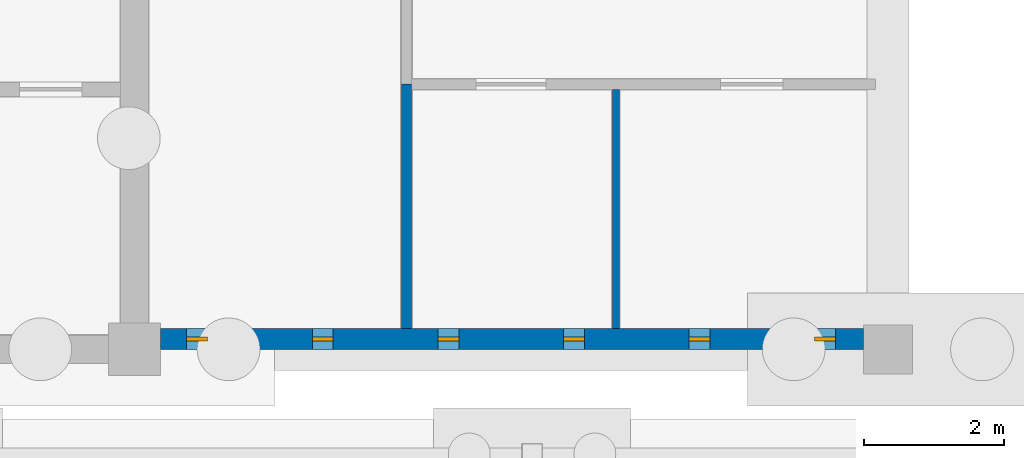
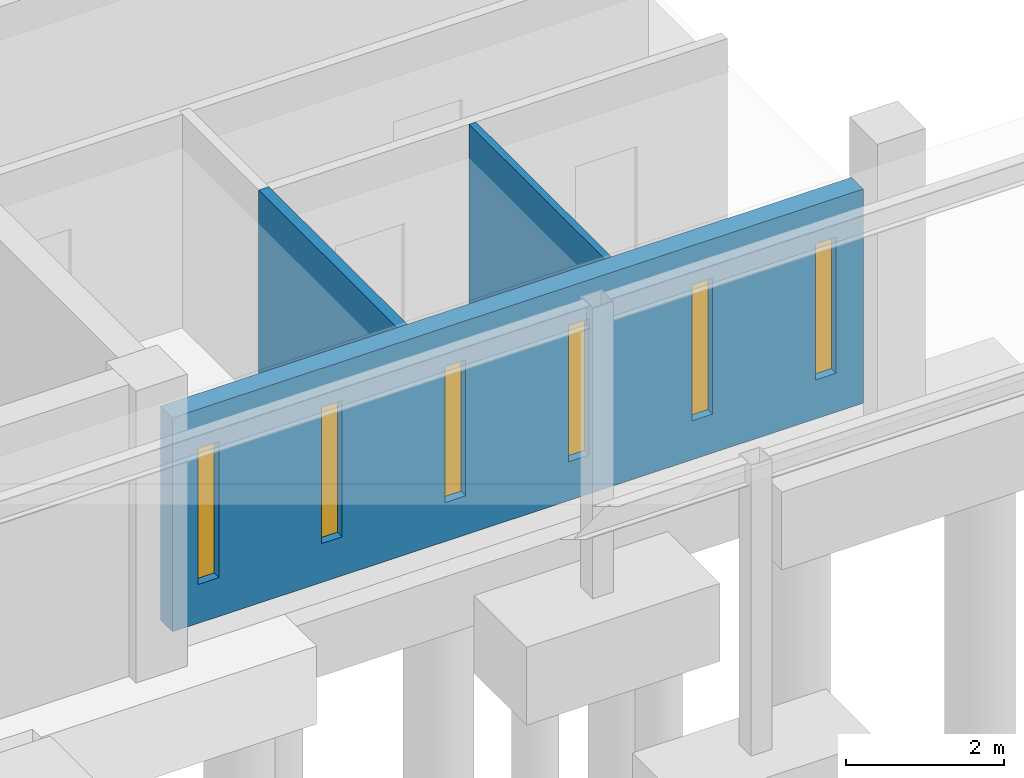
# One storey, part 69 of 106: 6 windows, 3 walls, 6 openings.
"""IFC4 building model written with IfcOpenShell, lengths in metres."""

from ifc_helpers import new_model, si_unit, direction, frame, frame_2d, origin, place, context, subcontext, project, spatial, rectangle, extrude, material, layer, layer_set, type_object, element, fill, save


model = new_model("IFC4")

# Units and contexts
model_context = context("Model", 3, precision=1e-05, world=origin(), true_north=direction((0.0, 1.0)))
body_context = subcontext(model_context, "Body", "Model", "MODEL_VIEW")
ifc_project = project(units=[si_unit("LENGTHUNIT", "METRE"), si_unit("AREAUNIT", "SQUARE_METRE"), si_unit("VOLUMEUNIT", "CUBIC_METRE"), si_unit("PLANEANGLEUNIT", "RADIAN"), si_unit("MASSUNIT", "GRAM", prefix="KILO")], contexts=[model_context])

# Site, building, storey
site_placement = place(None, origin())
site = spatial("IfcSite", under=ifc_project, at=site_placement, CompositionType="ELEMENT")
building_placement = place(site_placement, origin())
building = spatial("IfcBuilding", under=site, at=building_placement, Name="Merrow Basin Faculty of Sciences", CompositionType="ELEMENT")
storey_placement = place(building_placement, origin())
storey = spatial("IfcBuildingStorey", under=building, at=storey_placement, Name="L00", CompositionType="ELEMENT", Elevation=0.0)

# Wall, openings, windows
ifc_material_1 = material(Name="Precast concrete C40/50", Category="concrete")
ifc_layer_1 = layer(ifc_material_1, 0.300048828125)
ifc_layer_set_1 = layer_set([ifc_layer_1], Name="End wall 300 Precast concrete C40/50")
wall_type_1 = type_object("IfcWallType", Name="End wall 300 Precast concrete C40/50", PredefinedType="STANDARD", material=ifc_layer_set_1)
wall_1_placement = place(storey_placement, frame((21.25, 61.14990234375, 0.0), z_axis=(0.0, 0.0, 1.0), x_axis=(-1.0, 0.0, 0.0)))
wall_1 = element("IfcWall", 1, at=wall_1_placement, inside=storey, type_object=wall_type_1, Name="South end wall 1", PredefinedType="STANDARD", context=body_context, shape_type="SweptSolid", body=[
    extrude(rectangle(XDim=10.074951171875, YDim=0.300048828125, at=frame_2d((5.03759765625, 0.0))), origin(), (0.0, 0.0, 1.0), 3.300048828125),
])
opening_1_placement = place(wall_1_placement, frame((9.39990234375, 0.0, 0.60009765625)))
opening_1 = element("IfcOpeningElement", 2, at=opening_1_placement, cuts=wall_1, Name="Opening WN3", PredefinedType="OPENING", context=body_context, shape_type="SweptSolid", body=[
    extrude(rectangle(XDim=0.300048828125, YDim=2.10009765625, at=frame_2d((0.14990234375, 1.050048828125))), frame((0.0, 0.159912109375, 0.0), z_axis=(0.0, -1.0, 0.0), x_axis=(1.0, 0.0, 0.0)), (0.0, 0.0, 1.0), 0.320068359375),
])
opening_2_placement = place(wall_1_placement, frame((7.60009765625, 0.0, 0.60009765625)))
opening_2 = element("IfcOpeningElement", 3, at=opening_2_placement, cuts=wall_1, Name="Opening WN3", PredefinedType="OPENING", context=body_context, shape_type="SweptSolid", body=[
    extrude(rectangle(XDim=0.300048828125, YDim=2.10009765625, at=frame_2d((0.14990234375, 1.050048828125))), frame((0.0, 0.159912109375, 0.0), z_axis=(0.0, -1.0, 0.0), x_axis=(1.0, 0.0, 0.0)), (0.0, 0.0, 1.0), 0.320068359375),
])
opening_3_placement = place(wall_1_placement, frame((5.800048828125, 0.0, 0.60009765625)))
opening_3 = element("IfcOpeningElement", 4, at=opening_3_placement, cuts=wall_1, Name="Opening WN3", PredefinedType="OPENING", context=body_context, shape_type="SweptSolid", body=[
    extrude(rectangle(XDim=0.300048828125, YDim=2.10009765625, at=frame_2d((0.14990234375, 1.050048828125))), frame((0.0, 0.159912109375, 0.0), z_axis=(0.0, -1.0, 0.0), x_axis=(1.0, 0.0, 0.0)), (0.0, 0.0, 1.0), 0.320068359375),
])
opening_4_placement = place(wall_1_placement, frame((4.0, 0.0, 0.60009765625)))
opening_4 = element("IfcOpeningElement", 5, at=opening_4_placement, cuts=wall_1, Name="Opening WN3", PredefinedType="OPENING", context=body_context, shape_type="SweptSolid", body=[
    extrude(rectangle(XDim=0.300048828125, YDim=2.10009765625, at=frame_2d((0.14990234375, 1.050048828125))), frame((0.0, 0.159912109375, 0.0), z_axis=(0.0, -1.0, 0.0), x_axis=(1.0, 0.0, 0.0)), (0.0, 0.0, 1.0), 0.320068359375),
])
opening_5_placement = place(wall_1_placement, frame((2.199951171875, 0.0, 0.60009765625)))
opening_5 = element("IfcOpeningElement", 6, at=opening_5_placement, cuts=wall_1, Name="Opening WN3", PredefinedType="OPENING", context=body_context, shape_type="SweptSolid", body=[
    extrude(rectangle(XDim=0.300048828125, YDim=2.10009765625, at=frame_2d((0.14990234375, 1.050048828125))), frame((0.0, 0.159912109375, 0.0), z_axis=(0.0, -1.0, 0.0), x_axis=(1.0, 0.0, 0.0)), (0.0, 0.0, 1.0), 0.320068359375),
])
opening_6_placement = place(wall_1_placement, frame((0.39990234375, 0.0, 0.60009765625)))
opening_6 = element("IfcOpeningElement", 7, at=opening_6_placement, cuts=wall_1, Name="Opening WN3", PredefinedType="OPENING", context=body_context, shape_type="SweptSolid", body=[
    extrude(rectangle(XDim=0.300048828125, YDim=2.10009765625, at=frame_2d((0.14990234375, 1.050048828125))), frame((0.0, 0.159912109375, 0.0), z_axis=(0.0, -1.0, 0.0), x_axis=(1.0, 0.0, 0.0)), (0.0, 0.0, 1.0), 0.320068359375),
])
ifc_material_2 = material(Name="Low-E double glazing", Category="glass")
window_type = type_object("IfcWindowType", Name="Ground slot window 300 x 2100", PartitioningType="SINGLE_PANEL", PredefinedType="WINDOW", material=ifc_material_2)
window_1_placement = place(opening_1_placement, origin())
window_1 = element("IfcWindow", 8, at=window_1_placement, inside=storey, type_object=window_type, Name="South slot window L00", OverallHeight=2.10009765625, OverallWidth=0.300048828125, PartitioningType="SINGLE_PANEL", PredefinedType="WINDOW", context=body_context, shape_type="SweptSolid", body=[
    extrude(rectangle(XDim=0.300048828125, YDim=2.10009765625, at=frame_2d((0.14990234375, 1.050048828125))), frame((0.0, 0.030029296875, 0.0), z_axis=(0.0, -1.0, 0.0), x_axis=(1.0, 0.0, 0.0)), (0.0, 0.0, 1.0), 0.06005859375),
])
fill(opening_1, window_1)
window_2_placement = place(opening_2_placement, origin())
window_2 = element("IfcWindow", 9, at=window_2_placement, inside=storey, type_object=window_type, Name="South slot window L00", OverallHeight=2.10009765625, OverallWidth=0.300048828125, PartitioningType="SINGLE_PANEL", PredefinedType="WINDOW", context=body_context, shape_type="SweptSolid", body=[
    extrude(rectangle(XDim=0.300048828125, YDim=2.10009765625, at=frame_2d((0.14990234375, 1.050048828125))), frame((0.0, 0.030029296875, 0.0), z_axis=(0.0, -1.0, 0.0), x_axis=(1.0, 0.0, 0.0)), (0.0, 0.0, 1.0), 0.06005859375),
])
fill(opening_2, window_2)
window_3_placement = place(opening_3_placement, origin())
window_3 = element("IfcWindow", 10, at=window_3_placement, inside=storey, type_object=window_type, Name="South slot window L00", OverallHeight=2.10009765625, OverallWidth=0.300048828125, PartitioningType="SINGLE_PANEL", PredefinedType="WINDOW", context=body_context, shape_type="SweptSolid", body=[
    extrude(rectangle(XDim=0.300048828125, YDim=2.10009765625, at=frame_2d((0.14990234375, 1.050048828125))), frame((0.0, 0.030029296875, 0.0), z_axis=(0.0, -1.0, 0.0), x_axis=(1.0, 0.0, 0.0)), (0.0, 0.0, 1.0), 0.06005859375),
])
fill(opening_3, window_3)
window_4_placement = place(opening_4_placement, origin())
window_4 = element("IfcWindow", 11, at=window_4_placement, inside=storey, type_object=window_type, Name="South slot window L00", OverallHeight=2.10009765625, OverallWidth=0.300048828125, PartitioningType="SINGLE_PANEL", PredefinedType="WINDOW", context=body_context, shape_type="SweptSolid", body=[
    extrude(rectangle(XDim=0.300048828125, YDim=2.10009765625, at=frame_2d((0.14990234375, 1.050048828125))), frame((0.0, 0.030029296875, 0.0), z_axis=(0.0, -1.0, 0.0), x_axis=(1.0, 0.0, 0.0)), (0.0, 0.0, 1.0), 0.06005859375),
])
fill(opening_4, window_4)
window_5_placement = place(opening_5_placement, origin())
window_5 = element("IfcWindow", 12, at=window_5_placement, inside=storey, type_object=window_type, Name="South slot window L00", OverallHeight=2.10009765625, OverallWidth=0.300048828125, PartitioningType="SINGLE_PANEL", PredefinedType="WINDOW", context=body_context, shape_type="SweptSolid", body=[
    extrude(rectangle(XDim=0.300048828125, YDim=2.10009765625, at=frame_2d((0.14990234375, 1.050048828125))), frame((0.0, 0.030029296875, 0.0), z_axis=(0.0, -1.0, 0.0), x_axis=(1.0, 0.0, 0.0)), (0.0, 0.0, 1.0), 0.06005859375),
])
fill(opening_5, window_5)
window_6_placement = place(opening_6_placement, origin())
window_6 = element("IfcWindow", 13, at=window_6_placement, inside=storey, type_object=window_type, Name="South slot window L00", OverallHeight=2.10009765625, OverallWidth=0.300048828125, PartitioningType="SINGLE_PANEL", PredefinedType="WINDOW", context=body_context, shape_type="SweptSolid", body=[
    extrude(rectangle(XDim=0.300048828125, YDim=2.10009765625, at=frame_2d((0.14990234375, 1.050048828125))), frame((0.0, 0.030029296875, 0.0), z_axis=(0.0, -1.0, 0.0), x_axis=(1.0, 0.0, 0.0)), (0.0, 0.0, 1.0), 0.06005859375),
])
fill(opening_6, window_6)

# Walls
ifc_material_3 = material(Name="Moisture-resistant gypsum board")
ifc_layer_2 = layer(ifc_material_3, 0.10009765625)
ifc_layer_set_2 = layer_set([ifc_layer_2], Name="Partition 100 moisture-resistant board on steel studs")
wall_type_2 = type_object("IfcWallType", Name="Partition 100 moisture-resistant board on steel studs", PredefinedType="PARTITIONING", material=ifc_layer_set_2)
wall_2_placement = place(storey_placement, frame((17.699951171875, 61.300048828125, 0.0), z_axis=(0.0, 0.0, 1.0), x_axis=(0.0, 1.0, 0.0)))
element("IfcWall", 14, at=wall_2_placement, inside=storey, type_object=wall_type_2, Name="IW101 L00 026", PredefinedType="PARTITIONING", context=body_context, shape_type="SweptSolid", body=[
    extrude(rectangle(XDim=3.425048828125, YDim=0.10009765625, at=frame_2d((1.71240234375, 0.0))), origin(), (0.0, 0.0, 1.0), 3.300048828125),
])
ifc_material_4 = material(Name="Fire-rated gypsum board")
ifc_layer_3 = layer(ifc_material_4, 0.14990234375)
ifc_layer_set_3 = layer_set([ifc_layer_3], Name="Store partition 150 fire-rated board on steel studs")
wall_type_3 = type_object("IfcWallType", Name="Store partition 150 fire-rated board on steel studs", PredefinedType="PARTITIONING", material=ifc_layer_set_3)
wall_3_placement = place(storey_placement, frame((14.699951171875, 61.300048828125, 0.0), z_axis=(0.0, 0.0, 1.0), x_axis=(0.0, 1.0, 0.0)))
element("IfcWall", 15, at=wall_3_placement, inside=storey, type_object=wall_type_3, Name="IW152 L00 024", PredefinedType="PARTITIONING", context=body_context, shape_type="SweptSolid", body=[
    extrude(rectangle(XDim=3.5, YDim=0.14990234375, at=frame_2d((1.75, 0.0))), origin(), (0.0, 0.0, 1.0), 3.300048828125),
])

save(model, "model.ifc")
